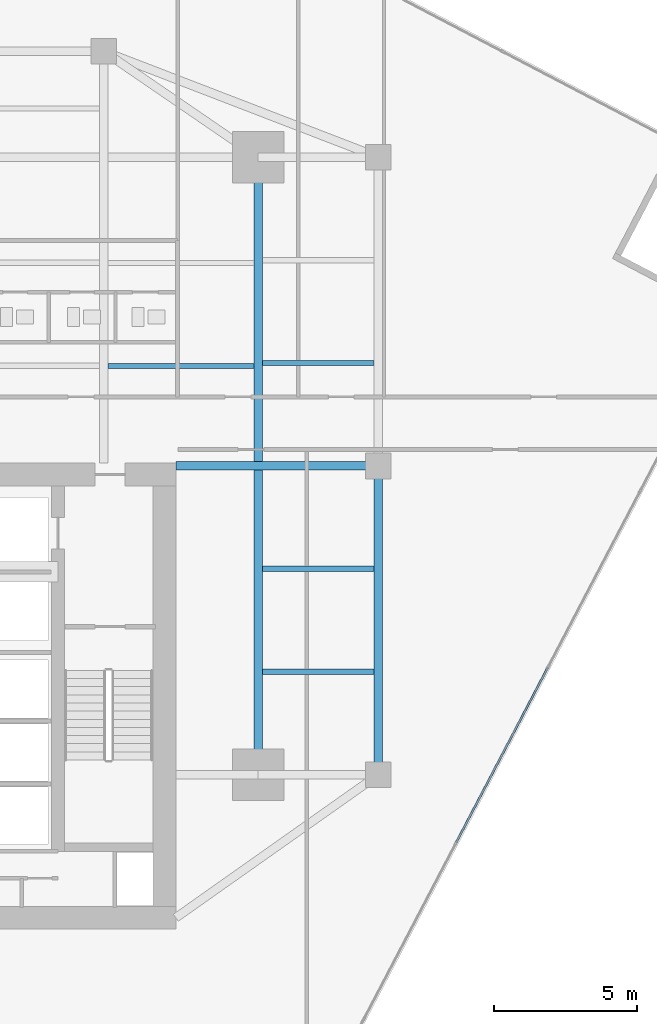
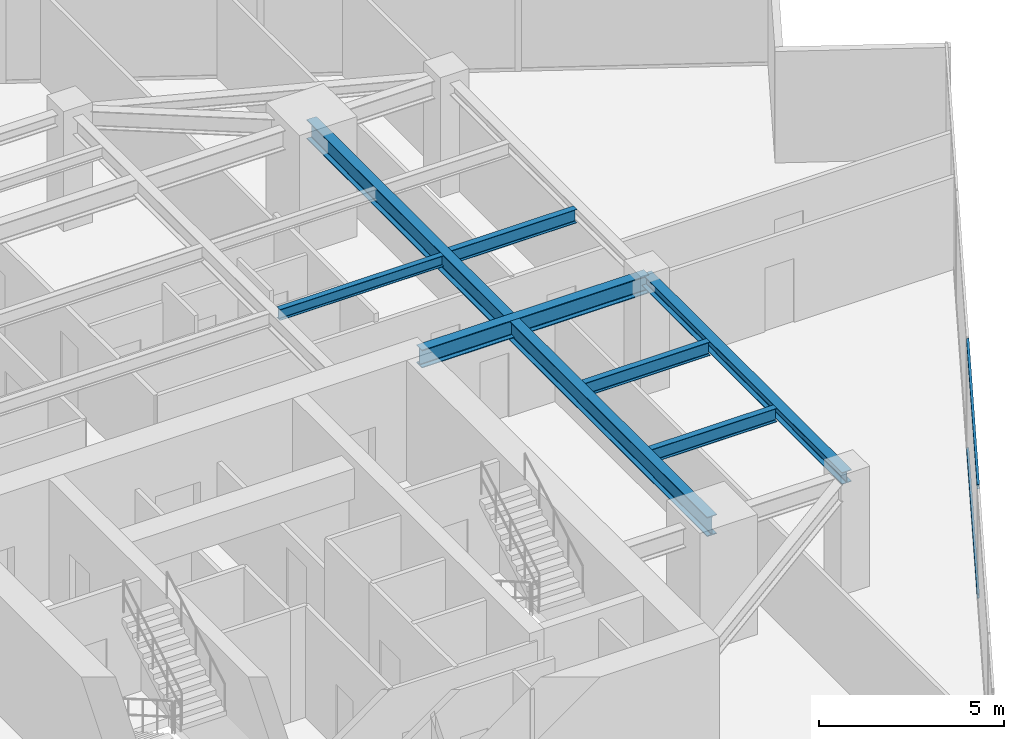
# One storey, part 11 of 27: 7 beams, 2 members, 1 element without a shape of its own.
"""IFC4 building model written with IfcOpenShell, lengths in metres."""

import ifcopenshell
import ifcopenshell.guid

model = None  # the IFC model being written
_history = None  # IfcOwnerHistory: only IFC2X3 demands one
_inside = {}  # id of a spatial element -> (the spatial element, [elements in it])
_under = {}  # id of a project, library or spatial element -> (it, [spatial elements below it])
_declared = {}  # id of a project -> (the project, [libraries it declares])
_typed = {}  # id of a type object -> (the type object, [elements of that type])
_made_of = {}  # id of a material, layer set ... -> (it, [elements and type objects made of it])


def new_model(schema):
    """Start an empty IFC model of exactly this schema.

    Asked for "IFC4X3", IfcOpenShell would pick the latest addendum, in which some entities
    have other attributes; the version numbers below select the first issue.
    IFC2X3 requires an IfcOwnerHistory on every rooted entity: one is made here for all.
    """
    global model, _history
    if schema == "IFC4X3":
        model = ifcopenshell.file(schema_version=(4, 3, 0, 0))
    else:
        model = ifcopenshell.file(schema=schema)
    _inside.clear()
    _under.clear()
    _declared.clear()
    _typed.clear()
    _made_of.clear()
    _history = None
    if model.schema == "IFC2X3":
        org = make("IfcOrganization", Name="unknown")
        user = make(
            "IfcPersonAndOrganization",
            ThePerson=make("IfcPerson", FamilyName="unknown"),
            TheOrganization=org,
        )
        app = make(
            "IfcApplication",
            ApplicationDeveloper=org,
            Version="unknown",
            ApplicationFullName="unknown",
            ApplicationIdentifier="unknown",
        )
        _history = make(
            "IfcOwnerHistory",
            OwningUser=user,
            OwningApplication=app,
            ChangeAction="ADDED",
            CreationDate=0,
        )
    return model


def make(cls, **values):
    """One entity of the class cls with the attributes given. An attribute that is None is left unset."""
    return model.create_entity(
        cls, **{name: value for name, value in values.items() if value is not None}
    )


def rooted(cls, **values):
    """An entity with a GlobalId (a new one), such as an element, a storey or a relation."""
    return make(cls, GlobalId=ifcopenshell.guid.new(), OwnerHistory=_history, **values)


def si_unit(unit_type, name, prefix=None):
    """IfcSIUnit, for example si_unit("LENGTHUNIT", "METRE", prefix="MILLI")."""
    return make("IfcSIUnit", UnitType=unit_type, Prefix=prefix, Name=name)


def assignment(units):
    """IfcUnitAssignment: the units of a project."""
    return None if units is None else make("IfcUnitAssignment", Units=units)


def point(xyz):
    """IfcCartesianPoint."""
    return None if xyz is None else make("IfcCartesianPoint", Coordinates=xyz)


def direction(xyz):
    """IfcDirection."""
    return None if xyz is None else make("IfcDirection", DirectionRatios=xyz)


def frame(location, z_axis=None, x_axis=None):
    """IfcAxis2Placement3D, a coordinate frame: its origin and axes. An axis left out is left unset."""
    return make(
        "IfcAxis2Placement3D",
        Location=point(location),
        Axis=direction(z_axis),
        RefDirection=direction(x_axis),
    )


def frame_2d(location, x_axis=None):
    """IfcAxis2Placement2D, a coordinate frame in the plane: its origin and x axis."""
    return make(
        "IfcAxis2Placement2D", Location=point(location), RefDirection=direction(x_axis)
    )


def origin():
    """The frame at (0, 0, 0) with its axes left unset."""
    return frame((0.0, 0.0, 0.0))


def origin_2d():
    """The frame at (0, 0) in the plane with its x axis left unset."""
    return frame_2d((0.0, 0.0))


def place(relative_to, where):
    """IfcLocalPlacement: puts the frame where relative to a parent placement (None: the world)."""
    return make(
        "IfcLocalPlacement", PlacementRelTo=relative_to, RelativePlacement=where
    )


def context(
    kind, dimensions, precision=None, world=None, true_north=None, identifier=None
):
    """IfcGeometricRepresentationContext, for example the 3D "Model" context."""
    return make(
        "IfcGeometricRepresentationContext",
        ContextIdentifier=identifier,
        ContextType=kind,
        CoordinateSpaceDimension=dimensions,
        Precision=precision,
        WorldCoordinateSystem=world,
        TrueNorth=true_north,
    )


def subcontext(parent, identifier, kind, view, scale=None):
    """IfcGeometricRepresentationSubContext, for example "Body" below "Model"."""
    return make(
        "IfcGeometricRepresentationSubContext",
        ContextIdentifier=identifier,
        ContextType=kind,
        ParentContext=parent,
        TargetScale=scale,
        TargetView=view,
    )


def project(units=None, contexts=None):
    """IfcProject with its units and contexts."""
    return rooted(
        "IfcProject",
        Name="project",
        RepresentationContexts=contexts,
        UnitsInContext=assignment(units),
    )


def spatial(cls, under=None, at=None, **own):
    """A site, building, storey or space (cls), placed at a placement, below another one or the project."""
    s = rooted(cls, ObjectPlacement=at, **own)
    if under is not None:
        _under.setdefault(under.id(), (under, []))[1].append(s)
    return s


def profile(cls, at=None, kind="AREA", **sizes):
    """A parametric profile (cls). Its sizes go by their IFC names, for example OverallWidth=200.0."""
    return make(cls, ProfileType=kind, Position=at, **sizes)


def hollow_rectangle(**sizes):
    """IfcRectangleHollowProfileDef."""
    return profile("IfcRectangleHollowProfileDef", **sizes)


def i_section(**sizes):
    """IfcIShapeProfileDef."""
    return profile("IfcIShapeProfileDef", **sizes)


def extrude(swept, where, along, depth):
    """IfcExtrudedAreaSolid: the profile swept, set in the frame where, extruded along a direction by depth."""
    return make(
        "IfcExtrudedAreaSolid",
        SweptArea=swept,
        Position=where,
        ExtrudedDirection=direction(along),
        Depth=depth,
    )


def shape(context_of_items, identifier, shape_type, items):
    """IfcShapeRepresentation: the items that make up one representation, for example the "Body"."""
    return make(
        "IfcShapeRepresentation",
        ContextOfItems=context_of_items,
        RepresentationIdentifier=identifier,
        RepresentationType=shape_type,
        Items=items,
    )


def source(mapping_origin, context_of_items, identifier, shape_type, items):
    """IfcRepresentationMap: a shape defined once, which mapped items show again and again."""
    return make(
        "IfcRepresentationMap",
        MappingOrigin=mapping_origin,
        MappedRepresentation=shape(context_of_items, identifier, shape_type, items),
    )


def transform(
    local_origin,
    x_axis=None,
    y_axis=None,
    z_axis=None,
    scale=None,
    scale2=None,
    scale3=None,
    uniform=True,
):
    """IfcCartesianTransformationOperator3D, or its non-uniform kind. x_axis, y_axis, z_axis: its Axis1, 2, 3."""
    if uniform:
        return make(
            "IfcCartesianTransformationOperator3D",
            Axis1=direction(x_axis),
            Axis2=direction(y_axis),
            LocalOrigin=point(local_origin),
            Scale=scale,
            Axis3=direction(z_axis),
        )
    return make(
        "IfcCartesianTransformationOperator3DnonUniform",
        Axis1=direction(x_axis),
        Axis2=direction(y_axis),
        LocalOrigin=point(local_origin),
        Scale=scale,
        Axis3=direction(z_axis),
        Scale2=scale2,
        Scale3=scale3,
    )


def mapped(mapping_source, mapping_target):
    """IfcMappedItem: shows the shape of a source again, moved by a transform."""
    return make(
        "IfcMappedItem", MappingSource=mapping_source, MappingTarget=mapping_target
    )


def material(Name=None, Category=None):
    """IfcMaterial."""
    return make("IfcMaterial", Name=Name, Category=Category)


def material_profile(
    of_material, cross_section, Name=None, Category=None, Priority=None
):
    """IfcMaterialProfile: a cross section and its material."""
    return make(
        "IfcMaterialProfile",
        Name=Name,
        Material=of_material,
        Profile=cross_section,
        Priority=Priority,
        Category=Category,
    )


def profile_set(profiles, Name=None, composite=None):
    """IfcMaterialProfileSet."""
    return make(
        "IfcMaterialProfileSet",
        Name=Name,
        MaterialProfiles=profiles,
        CompositeProfile=composite,
    )


def made_of(thing, what):
    """Note that an element or type object is made of a material, layer set ...; save() writes the relation."""
    if what is not None:
        _made_of.setdefault(what.id(), (what, []))[1].append(thing)
    return thing


def type_object(cls, material=None, **own):
    """A type object (cls), such as IfcWallType, which elements share."""
    return made_of(rooted(cls, **own), material)


def type_shapes(of_type, sources):
    """Give a type object the sources (RepresentationMaps) that its elements show as mapped items."""
    of_type.RepresentationMaps = sources


def element(
    cls,
    number,
    at=None,
    inside=None,
    cuts=None,
    type_object=None,
    material=None,
    context=None,
    identifier="Body",
    shape_type=None,
    held_by="IfcProductDefinitionShape",
    body=None,
    shapes=None,
    **own,
):
    """One element of the class cls, such as IfcWall. Its Tag is "e" and its number.

    at: its placement. inside: the storey or other place that contains it. cuts: it is an
    opening in that element (IfcRelVoidsElement). A single representation is given by context,
    identifier, shape_type and body (its items); several are given by shapes. held_by: the class
    of the entity that holds the representations. save() writes the other relations.
    """
    e = rooted(cls, Tag="e%d" % number, ObjectPlacement=at, **own)
    if body is not None:
        shapes = [shape(context, identifier, shape_type, body)]
    if shapes is not None:
        e.Representation = make(held_by, Representations=shapes)
    if inside is not None:
        _inside.setdefault(inside.id(), (inside, []))[1].append(e)
    if cuts is not None:
        rooted(
            "IfcRelVoidsElement", RelatingBuildingElement=cuts, RelatedOpeningElement=e
        )
    if type_object is not None:
        _typed.setdefault(type_object.id(), (type_object, []))[1].append(e)
    return made_of(e, material)


def aggregate(whole, parts):
    """IfcRelAggregates: a whole, such as a stair, and the parts it consists of."""
    return rooted("IfcRelAggregates", RelatingObject=whole, RelatedObjects=parts)


def save(model, path):
    """Write the relations noted so far, then the file.

    IfcRelAggregates (storeys below a building ...), IfcRelContainedInSpatialStructure (elements
    in a storey), IfcRelDefinesByType, IfcRelAssociatesMaterial and IfcRelDeclares: one each for
    every whole, place, type object, material and project.
    """
    for whole, parts in _under.values():
        aggregate(whole, parts)
    for where, things in _inside.values():
        rooted(
            "IfcRelContainedInSpatialStructure",
            RelatedElements=things,
            RelatingStructure=where,
        )
    for kind, things in _typed.values():
        rooted("IfcRelDefinesByType", RelatedObjects=things, RelatingType=kind)
    for what, things in _made_of.values():
        rooted("IfcRelAssociatesMaterial", RelatedObjects=things, RelatingMaterial=what)
    for by, libraries in _declared.values():
        rooted("IfcRelDeclares", RelatingContext=by, RelatedDefinitions=libraries)
    model.write(path)


model = new_model("IFC4")

# Units and contexts
model_context = context("Model", 3, precision=1e-05, world=origin(), true_north=direction((0.0, 1.0)))
body_context = subcontext(model_context, "Body", "Model", "MODEL_VIEW")
ifc_project = project(units=[si_unit("LENGTHUNIT", "METRE"), si_unit("AREAUNIT", "SQUARE_METRE"), si_unit("VOLUMEUNIT", "CUBIC_METRE"), si_unit("PLANEANGLEUNIT", "RADIAN"), si_unit("MASSUNIT", "GRAM", prefix="KILO")], contexts=[model_context])

# Site, building, storey
site_placement = place(None, origin())
site = spatial("IfcSite", under=ifc_project, at=site_placement, CompositionType="ELEMENT")
building_placement = place(site_placement, origin())
building = spatial("IfcBuilding", under=site, at=building_placement, Name="Krantzveldt Concourse Tower", CompositionType="ELEMENT")
storey_placement = place(building_placement, frame((0.0, 0.0, 158.050048828125)))
storey = spatial("IfcBuildingStorey", under=building, at=storey_placement, Name="L38", CompositionType="ELEMENT", Elevation=158.050048828125)

# Beams
ifc_material_1 = material(Name="Steel S355JR", Category="steel")
ifc_material_profile_1 = material_profile(ifc_material_1, i_section(OverallWidth=0.300048828125, OverallDepth=0.639892578125, WebThickness=0.013427734375, FlangeThickness=0.02587890625, FilletRadius=0.027099609375, at=origin_2d()), Name="Steel S355JR", Category="steel")
ifc_profile_set_1 = profile_set([ifc_material_profile_1], Name="Steel S355JR - HEA 650")
beam_type_1 = type_object("IfcBeamType", Name="BM-B-HEA650", PredefinedType="BEAM", material=ifc_profile_set_1)
shared_shape_1 = source(origin(), body_context, "Body", "SweptSolid", [
    extrude(i_section(OverallWidth=0.300048828125, OverallDepth=0.639892578125, WebThickness=0.013427734375, FlangeThickness=0.02587890625, FilletRadius=0.027099609375, at=origin_2d()), origin(), (0.0, 0.0, 1.0), 21.60009765625),
])
type_shapes(beam_type_1, [shared_shape_1])
beam_1_placement = place(storey_placement, frame((46.800048828125, 15.89990234375, 3.349853515625), z_axis=(0.0, 1.0, 0.0), x_axis=(-1.0, 0.0, 0.0)))
element("IfcBeam", 1, at=beam_1_placement, inside=storey, type_object=beam_type_1, Name="L38 Tower Girder BG-ME", PredefinedType="BEAM", context=body_context, shape_type="MappedRepresentation", body=[
    mapped(shared_shape_1, transform((0.0, 0.0, 0.0), x_axis=(1.0, 0.0, 0.0), y_axis=(0.0, 1.0, 0.0), z_axis=(0.0, 0.0, 1.0), scale=1.0)),
])
ifc_material_profile_2 = material_profile(ifc_material_1, i_section(OverallWidth=0.300048828125, OverallDepth=0.590087890625, WebThickness=0.012939453125, FlangeThickness=0.02490234375, FilletRadius=0.027099609375, at=origin_2d()), Name="Steel S355JR", Category="steel")
ifc_profile_set_2 = profile_set([ifc_material_profile_2], Name="Steel S355JR - HEA 600")
beam_type_2 = type_object("IfcBeamType", Name="BM-B-HEA600", PredefinedType="BEAM", material=ifc_profile_set_2)
shared_shape_2 = source(origin(), body_context, "Body", "SweptSolid", [
    extrude(i_section(OverallWidth=0.300048828125, OverallDepth=0.590087890625, WebThickness=0.012939453125, FlangeThickness=0.02490234375, FilletRadius=0.027099609375, at=origin_2d()), origin(), (0.0, 0.0, 1.0), 7.080078125),
])
type_shapes(beam_type_2, [shared_shape_2])
beam_2_placement = place(storey_placement, frame((43.919921875, 26.699951171875, 3.375), z_axis=(1.0, 0.0, 0.0), x_axis=(0.0, 1.0, 0.0)))
element("IfcBeam", 2, at=beam_2_placement, inside=storey, type_object=beam_type_2, Name="L38 Tower Girder BG-CE2", PredefinedType="BEAM", context=body_context, shape_type="MappedRepresentation", body=[
    mapped(shared_shape_2, transform((0.0, 0.0, 0.0), x_axis=(1.0, 0.0, 0.0), y_axis=(0.0, 1.0, 0.0), z_axis=(0.0, 0.0, 1.0), scale=1.0)),
])
ifc_material_profile_3 = material_profile(ifc_material_1, i_section(OverallWidth=0.300048828125, OverallDepth=0.389892578125, WebThickness=0.010986328125, FlangeThickness=0.01904296875, FilletRadius=0.027099609375, at=origin_2d()), Name="Steel S355JR", Category="steel")
ifc_profile_set_3 = profile_set([ifc_material_profile_3], Name="Steel S355JR - HEA 400")
beam_type_3 = type_object("IfcBeamType", Name="BM-SP-HEA400", PredefinedType="SPANDREL", material=ifc_profile_set_3)
shared_shape_3 = source(origin(), body_context, "Body", "SweptSolid", [
    extrude(i_section(OverallWidth=0.300048828125, OverallDepth=0.389892578125, WebThickness=0.010986328125, FlangeThickness=0.01904296875, FilletRadius=0.027099609375, at=origin_2d()), origin(), (0.0, 0.0, 1.0), 10.800048828125),
])
type_shapes(beam_type_3, [shared_shape_3])
beam_3_placement = place(storey_placement, frame((51.0, 26.699951171875, 3.474853515625), z_axis=(0.0, -1.0, 0.0), x_axis=(1.0, 0.0, 0.0)))
element("IfcBeam", 3, at=beam_3_placement, inside=storey, type_object=beam_type_3, Name="L38 Tower Girder SP-R07", PredefinedType="SPANDREL", context=body_context, shape_type="MappedRepresentation", body=[
    mapped(shared_shape_3, transform((0.0, 0.0, 0.0), x_axis=(1.0, 0.0, 0.0), y_axis=(0.0, 1.0, 0.0), z_axis=(0.0, 0.0, 1.0), scale=1.0)),
])
ifc_material_profile_4 = material_profile(ifc_material_1, i_section(OverallWidth=0.169921875, OverallDepth=0.360107421875, WebThickness=0.008056640625, FlangeThickness=0.0126953125, FilletRadius=0.01806640625, at=origin_2d()), Name="Steel S355JR", Category="steel")
ifc_profile_set_4 = profile_set([ifc_material_profile_4], Name="Steel S355JR - IPE 360")
beam_type_4 = type_object("IfcBeamType", Name="BM-J-IPE360", PredefinedType="JOIST", material=ifc_profile_set_4)
shared_shape_4 = source(origin(), body_context, "Body", "SweptSolid", [
    extrude(i_section(OverallWidth=0.169921875, OverallDepth=0.360107421875, WebThickness=0.008056640625, FlangeThickness=0.0126953125, FilletRadius=0.01806640625, at=origin_2d()), origin(), (0.0, 0.0, 1.0), 5.099853515625),
])
type_shapes(beam_type_4, [shared_shape_4])
beam_4_placement = place(storey_placement, frame((41.550048828125, 30.199951171875, 3.489990234375), z_axis=(1.0, 0.0, 0.0), x_axis=(0.0, 1.0, 0.0)))
element("IfcBeam", 4, at=beam_4_placement, inside=storey, type_object=beam_type_4, Name="L38 Secondary Floor Joist JN-E1", PredefinedType="JOIST", context=body_context, shape_type="MappedRepresentation", body=[
    mapped(shared_shape_4, transform((0.0, 0.0, 0.0), x_axis=(1.0, 0.0, 0.0), y_axis=(0.0, 1.0, 0.0), z_axis=(0.0, 0.0, 1.0), scale=1.0)),
])
ifc_material_profile_5 = material_profile(ifc_material_1, i_section(OverallWidth=0.18994140625, OverallDepth=0.449951171875, WebThickness=0.009521484375, FlangeThickness=0.0146484375, FilletRadius=0.02099609375, at=origin_2d()), Name="Steel S355JR", Category="steel")
ifc_profile_set_5 = profile_set([ifc_material_profile_5], Name="Steel S355JR - IPE 450")
beam_type_5 = type_object("IfcBeamType", Name="BM-J-IPE450", PredefinedType="JOIST", material=ifc_profile_set_5)
shared_shape_5 = source(origin(), body_context, "Body", "SweptSolid", [
    extrude(i_section(OverallWidth=0.18994140625, OverallDepth=0.449951171875, WebThickness=0.009521484375, FlangeThickness=0.0146484375, FilletRadius=0.02099609375, at=origin_2d()), origin(), (0.0, 0.0, 1.0), 3.900146484375),
])
type_shapes(beam_type_5, [shared_shape_5])
for number, where, z_axis, x_axis, name in (
    (5, (46.949951171875, 19.5, 3.445068359375), (1.0, 0.0, 0.0), (0.0, 1.0, 0.0), "L38 Secondary Floor Joist JE-1"),
    (6, (46.949951171875, 23.10009765625, 3.445068359375), (1.0, 0.0, 0.0), (0.0, 1.0, 0.0), "L38 Secondary Floor Joist JE-2"),
    (7, (46.949951171875, 30.300048828125, 3.445068359375), (1.0, 0.0, 0.0), (0.0, 1.0, 0.0), "L38 Secondary Floor Joist JE-3"),
):
    element("IfcBeam", number, at=place(storey_placement, frame(where, z_axis=z_axis, x_axis=x_axis)), inside=storey, type_object=beam_type_5, Name=name, PredefinedType="JOIST", context=body_context, shape_type="MappedRepresentation", body=[
        mapped(shared_shape_5, transform((0.0, 0.0, 0.0), x_axis=(1.0, 0.0, 0.0), y_axis=(0.0, 1.0, 0.0), z_axis=(0.0, 0.0, 1.0), scale=1.0)),
    ])

# Curtain wall, members
ifc_material_2 = material(Name="Anodised aluminium 6063-T6", Category="aluminium")
curtain_wall_type = type_object("IfcCurtainWallType", Name="CW3", PredefinedType="USERDEFINED", material=ifc_material_2)
curtain_wall_placement = place(storey_placement, origin())
curtain_wall = element("IfcCurtainWall", 8, at=curtain_wall_placement, inside=storey, type_object=curtain_wall_type, Name="CW-L38-F07", ObjectType="UNITISED CURTAIN WALL", PredefinedType="USERDEFINED")
ifc_material_profile_6 = material_profile(ifc_material_2, hollow_rectangle(XDim=0.070068359375, YDim=0.139892578125, WallThickness=0.0048828125, at=origin_2d()), Name="Anodised aluminium 6063-T6", Category="aluminium")
ifc_profile_set_6 = profile_set([ifc_material_profile_6], Name="Anodised aluminium 6063-T6 - ALU-TRAN 140x70x5")
member_type = type_object("IfcMemberType", Name="CW-TRN-150", PredefinedType="USERDEFINED", material=ifc_profile_set_6)
shared_shape_6 = source(origin(), body_context, "Body", "SweptSolid", [
    extrude(hollow_rectangle(XDim=0.070068359375, YDim=0.139892578125, WallThickness=0.0048828125, at=origin_2d()), origin(), (0.0, 0.0, 1.0), 6.889892578125),
])
type_shapes(member_type, [shared_shape_6])
member_1_placement = place(storey_placement, frame((53.726318359375, 13.534912109375, 0.034912109375), z_axis=(0.46369184059, 0.885996544559, 0.0), x_axis=(-0.885996544559, 0.46369184059, 0.0)))
member_1 = element("IfcMember", 9, at=member_1_placement, type_object=member_type, Name="CW-Z34 transom 3.1", ObjectType="TRANSOM", PredefinedType="USERDEFINED", context=body_context, shape_type="MappedRepresentation", body=[
    mapped(shared_shape_6, transform((0.0, 0.0, 0.0), x_axis=(1.0, 0.0, 0.0), y_axis=(0.0, 1.0, 0.0), z_axis=(0.0, 0.0, 1.0), scale=1.0)),
])
member_2_placement = place(storey_placement, frame((53.726318359375, 13.534912109375, 3.635009765625), z_axis=(0.46369184059, 0.885996544559, 0.0), x_axis=(-0.885996544559, 0.46369184059, 0.0)))
member_2 = element("IfcMember", 10, at=member_2_placement, type_object=member_type, Name="CW-Z34 transom 3.2", ObjectType="TRANSOM", PredefinedType="USERDEFINED", context=body_context, shape_type="MappedRepresentation", body=[
    mapped(shared_shape_6, transform((0.0, 0.0, 0.0), x_axis=(1.0, 0.0, 0.0), y_axis=(0.0, 1.0, 0.0), z_axis=(0.0, 0.0, 1.0), scale=1.0)),
])
aggregate(curtain_wall, [member_1, member_2])

save(model, "model.ifc")
